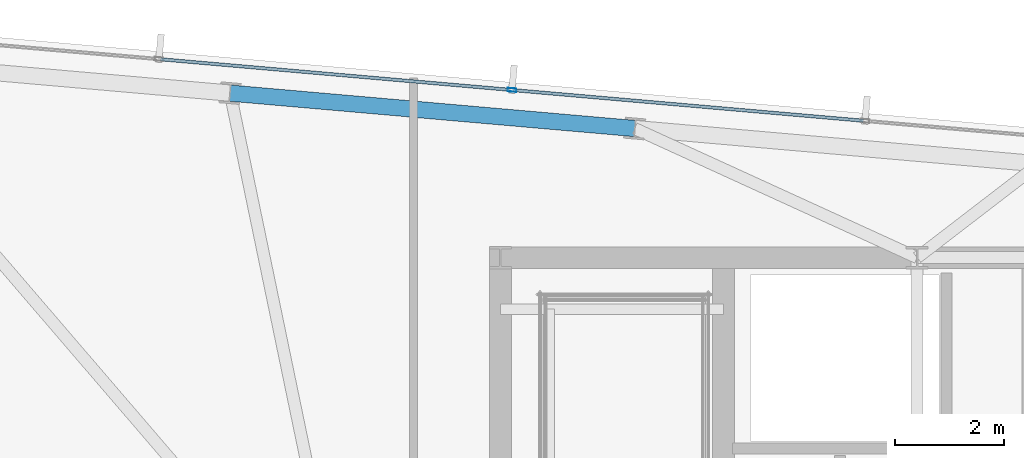
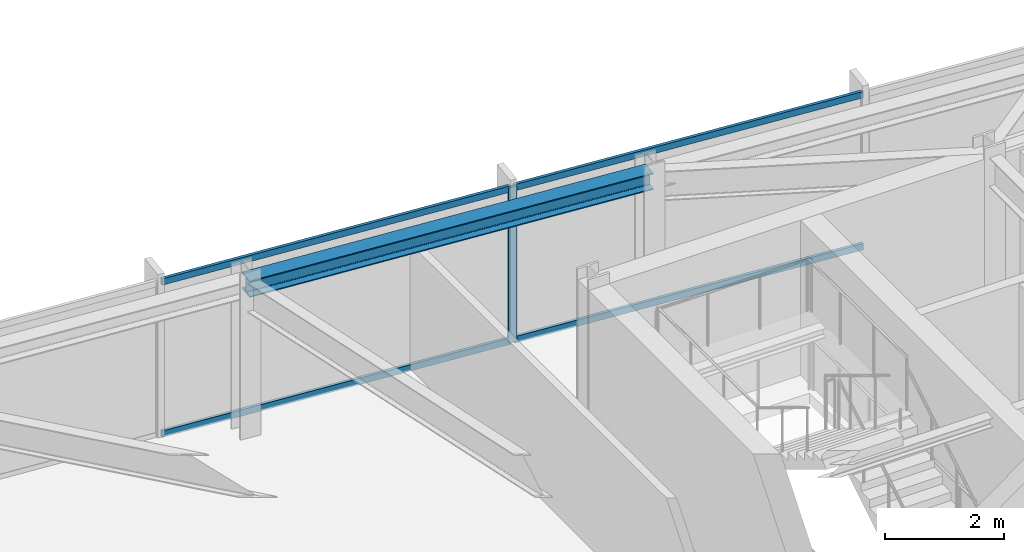
# One storey, part 24 of 33: 5 members, 1 beam, 1 element without a shape of its own.
"""IFC4 building model written with IfcOpenShell, lengths in metres."""

from ifc_helpers import new_model, si_unit, direction, frame, origin, origin_2d, place, context, subcontext, project, spatial, hollow_rectangle, i_section, extrude, material, material_profile, profile_set, type_object, element, aggregate, save


model = new_model("IFC4")

# Units and contexts
model_context = context("Model", 3, precision=1e-05, world=origin(), true_north=direction((0.0, 1.0)))
body_context = subcontext(model_context, "Body", "Model", "MODEL_VIEW")
ifc_project = project(units=[si_unit("LENGTHUNIT", "METRE"), si_unit("AREAUNIT", "SQUARE_METRE"), si_unit("VOLUMEUNIT", "CUBIC_METRE"), si_unit("PLANEANGLEUNIT", "RADIAN"), si_unit("MASSUNIT", "GRAM", prefix="KILO")], contexts=[model_context])

# Site, building, storey
site_placement = place(None, origin())
site = spatial("IfcSite", under=ifc_project, at=site_placement, CompositionType="ELEMENT")
building_placement = place(site_placement, origin())
building = spatial("IfcBuilding", under=site, at=building_placement, Name="Yelkora Congress Tower", CompositionType="ELEMENT")
storey_placement = place(building_placement, frame((0.0, 0.0, 282.89990234375)))
storey = spatial("IfcBuildingStorey", under=building, at=storey_placement, Name="L79", CompositionType="ELEMENT", Elevation=282.89990234375)

# Beam
ifc_material_1 = material(Name="Steel S355J2", Category="steel")
ifc_material_profile_1 = material_profile(ifc_material_1, i_section(OverallWidth=0.300048828125, OverallDepth=0.340087890625, WebThickness=0.011962890625, FlangeThickness=0.021484375, FilletRadius=0.027099609375, at=origin_2d()), Name="HEB 340")
ifc_profile_set_1 = profile_set([ifc_material_profile_1], Name="Steel S355J2")
beam_type = type_object("IfcBeamType", Name="BM-SPAN-HEB340", PredefinedType="SPANDREL", material=ifc_profile_set_1)
beam_placement = place(storey_placement, frame((25.513916015625, 48.57958984375, 3.010009765625), z_axis=(-0.996196266663, 0.087137812034, 0.0), x_axis=(-0.087137812034, -0.996196266663, 0.0)))
element("IfcBeam", 1, at=beam_placement, inside=storey, type_object=beam_type, Name="L79 Perimeter Beam 11", PredefinedType="SPANDREL", context=body_context, shape_type="SweptSolid", body=[
    extrude(i_section(OverallWidth=0.300048828125, OverallDepth=0.340087890625, WebThickness=0.011962890625, FlangeThickness=0.021484375, FilletRadius=0.027099609375, at=origin_2d()), origin(), (0.0, 0.0, 1.0), 7.483642578125),
])

# Curtain wall, members
ifc_material_2 = material(Name="Anodised aluminium and insulated glass", Category="aluminium")
curtain_wall_type = type_object("IfcCurtainWallType", Name="CW-SYS-B5", PredefinedType="NOTDEFINED", material=ifc_material_2)
curtain_wall_placement = place(storey_placement, origin())
curtain_wall = element("IfcCurtainWall", 2, at=curtain_wall_placement, inside=storey, type_object=curtain_wall_type, Name="L79 Unitised Curtain Wall 10", PredefinedType="NOTDEFINED")
ifc_material_3 = material(Name="Anodised aluminium 6063-T6", Category="aluminium")
ifc_material_profile_2 = material_profile(ifc_material_3, hollow_rectangle(XDim=0.06494140625, YDim=0.159912109375, WallThickness=0.00390625, at=origin_2d()), Name="ALU 65x160x4")
ifc_profile_set_2 = profile_set([ifc_material_profile_2], Name="Anodised aluminium 6063-T6")
member_type_1 = type_object("IfcMemberType", Name="MEM-ML-B5", PredefinedType="MULLION", material=ifc_profile_set_2)
member_1_placement = place(storey_placement, frame((23.253173828125, 49.289306640625, 0.0), z_axis=(0.0, 0.0, 1.0), x_axis=(0.087156639893, 0.996194619601, 0.0)))
member_1 = element("IfcMember", 3, at=member_1_placement, type_object=member_type_1, Name="CW-B5 mullion 3", PredefinedType="MULLION", context=body_context, shape_type="SweptSolid", body=[
    extrude(hollow_rectangle(XDim=0.06494140625, YDim=0.159912109375, WallThickness=0.00390625, at=origin_2d()), origin(), (0.0, 0.0, 1.0), 3.18017578125),
])
ifc_material_profile_3 = material_profile(ifc_material_3, hollow_rectangle(XDim=0.06005859375, YDim=0.1298828125, WallThickness=0.00390625, at=origin_2d()), Name="ALU 60x130x4")
ifc_profile_set_3 = profile_set([ifc_material_profile_3], Name="Anodised aluminium 6063-T6")
member_type_2 = type_object("IfcMemberType", Name="MEM-TR-B5", PredefinedType="USERDEFINED", material=ifc_profile_set_3)
member_2_placement = place(storey_placement, frame((16.779052734375, 49.855712890625, 0.030029296875), z_axis=(0.996195971174, -0.087141190126, 0.0), x_axis=(0.087141190126, 0.996195971174, 0.0)))
member_2 = element("IfcMember", 4, at=member_2_placement, type_object=member_type_2, Name="CW-B5 transom 2.1", ObjectType="TRANSOM", PredefinedType="USERDEFINED", context=body_context, shape_type="SweptSolid", body=[
    extrude(hollow_rectangle(XDim=0.06005859375, YDim=0.1298828125, WallThickness=0.00390625, at=origin_2d()), origin(), (0.0, 0.0, 1.0), 6.46630859375),
])
member_3_placement = place(storey_placement, frame((16.779052734375, 49.855712890625, 3.150146484375), z_axis=(0.996195971174, -0.087141190126, 0.0), x_axis=(0.087141190126, 0.996195971174, 0.0)))
member_3 = element("IfcMember", 5, at=member_3_placement, type_object=member_type_2, Name="CW-B5 transom 2.2", ObjectType="TRANSOM", PredefinedType="USERDEFINED", context=body_context, shape_type="SweptSolid", body=[
    extrude(hollow_rectangle(XDim=0.06005859375, YDim=0.1298828125, WallThickness=0.00390625, at=origin_2d()), origin(), (0.0, 0.0, 1.0), 6.46630859375),
])
member_4_placement = place(storey_placement, frame((23.285400390625, 49.286376953125, 0.030029296875), z_axis=(0.996196257862, -0.087137912649, 0.0), x_axis=(0.087137912649, 0.996196257862, 0.0)))
member_4 = element("IfcMember", 6, at=member_4_placement, type_object=member_type_2, Name="CW-B5 transom 3.1", ObjectType="TRANSOM", PredefinedType="USERDEFINED", context=body_context, shape_type="SweptSolid", body=[
    extrude(hollow_rectangle(XDim=0.06005859375, YDim=0.1298828125, WallThickness=0.00390625, at=origin_2d()), origin(), (0.0, 0.0, 1.0), 6.466552734375),
])
member_5_placement = place(storey_placement, frame((23.285400390625, 49.286376953125, 3.150146484375), z_axis=(0.996196257862, -0.087137912649, 0.0), x_axis=(0.087137912649, 0.996196257862, 0.0)))
member_5 = element("IfcMember", 7, at=member_5_placement, type_object=member_type_2, Name="CW-B5 transom 3.2", ObjectType="TRANSOM", PredefinedType="USERDEFINED", context=body_context, shape_type="SweptSolid", body=[
    extrude(hollow_rectangle(XDim=0.06005859375, YDim=0.1298828125, WallThickness=0.00390625, at=origin_2d()), origin(), (0.0, 0.0, 1.0), 6.466552734375),
])
aggregate(curtain_wall, [member_1, member_2, member_3, member_4, member_5])

save(model, "model.ifc")
